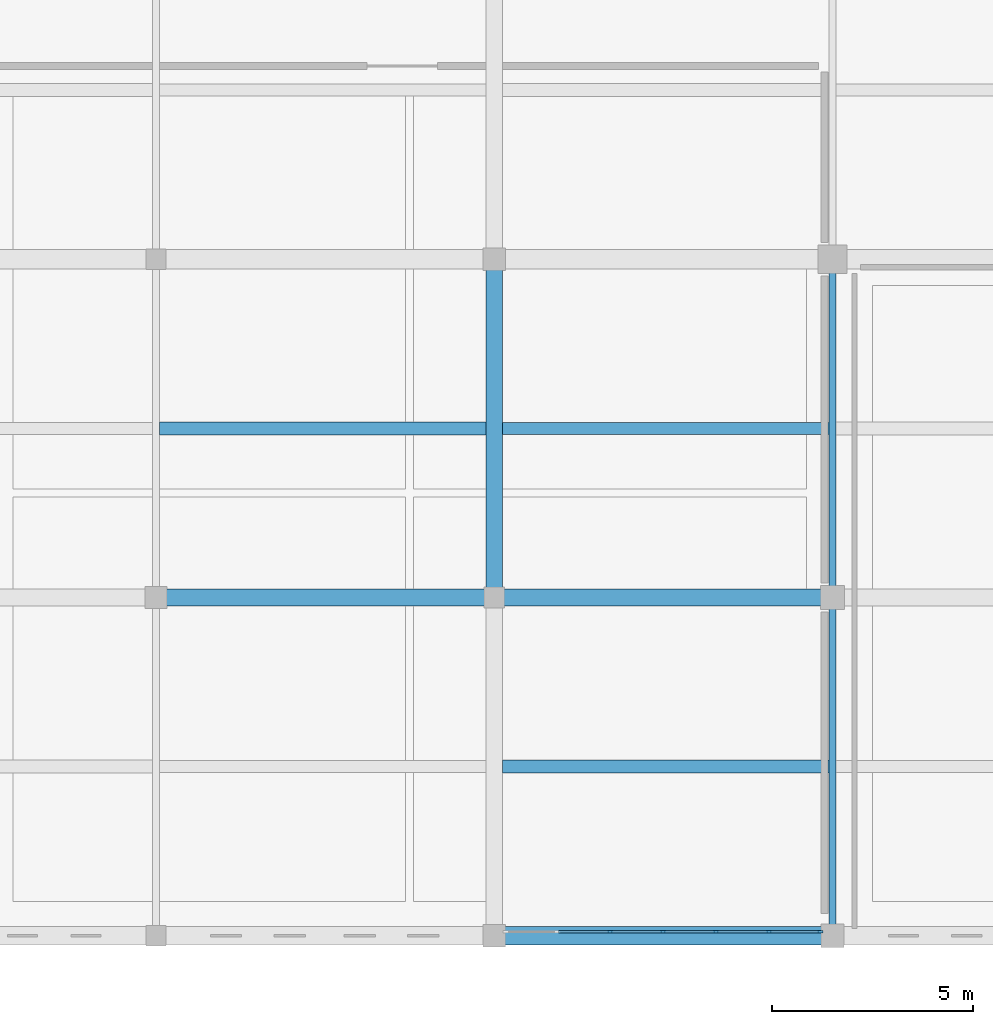
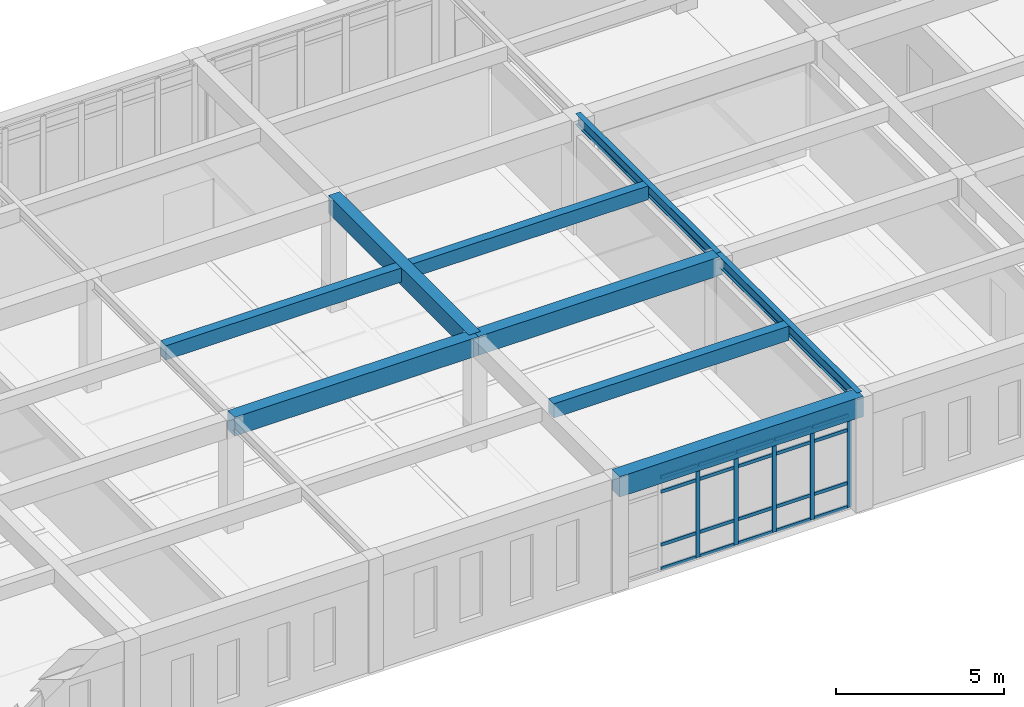
# One storey, part 61 of 192: 25 members, 9 beams, 1 element without a shape of its own.
"""IFC4 building model written with IfcOpenShell, lengths in metres."""

import ifcopenshell
import ifcopenshell.guid

model = None  # the IFC model being written
_history = None  # IfcOwnerHistory: only IFC2X3 demands one
_inside = {}  # id of a spatial element -> (the spatial element, [elements in it])
_under = {}  # id of a project, library or spatial element -> (it, [spatial elements below it])
_declared = {}  # id of a project -> (the project, [libraries it declares])
_typed = {}  # id of a type object -> (the type object, [elements of that type])
_made_of = {}  # id of a material, layer set ... -> (it, [elements and type objects made of it])


def new_model(schema):
    """Start an empty IFC model of exactly this schema.

    Asked for "IFC4X3", IfcOpenShell would pick the latest addendum, in which some entities
    have other attributes; the version numbers below select the first issue.
    IFC2X3 requires an IfcOwnerHistory on every rooted entity: one is made here for all.
    """
    global model, _history
    if schema == "IFC4X3":
        model = ifcopenshell.file(schema_version=(4, 3, 0, 0))
    else:
        model = ifcopenshell.file(schema=schema)
    _inside.clear()
    _under.clear()
    _declared.clear()
    _typed.clear()
    _made_of.clear()
    _history = None
    if model.schema == "IFC2X3":
        org = make("IfcOrganization", Name="unknown")
        user = make(
            "IfcPersonAndOrganization",
            ThePerson=make("IfcPerson", FamilyName="unknown"),
            TheOrganization=org,
        )
        app = make(
            "IfcApplication",
            ApplicationDeveloper=org,
            Version="unknown",
            ApplicationFullName="unknown",
            ApplicationIdentifier="unknown",
        )
        _history = make(
            "IfcOwnerHistory",
            OwningUser=user,
            OwningApplication=app,
            ChangeAction="ADDED",
            CreationDate=0,
        )
    return model


def make(cls, **values):
    """One entity of the class cls with the attributes given. An attribute that is None is left unset."""
    return model.create_entity(
        cls, **{name: value for name, value in values.items() if value is not None}
    )


def rooted(cls, **values):
    """An entity with a GlobalId (a new one), such as an element, a storey or a relation."""
    return make(cls, GlobalId=ifcopenshell.guid.new(), OwnerHistory=_history, **values)


def si_unit(unit_type, name, prefix=None):
    """IfcSIUnit, for example si_unit("LENGTHUNIT", "METRE", prefix="MILLI")."""
    return make("IfcSIUnit", UnitType=unit_type, Prefix=prefix, Name=name)


def assignment(units):
    """IfcUnitAssignment: the units of a project."""
    return None if units is None else make("IfcUnitAssignment", Units=units)


def point(xyz):
    """IfcCartesianPoint."""
    return None if xyz is None else make("IfcCartesianPoint", Coordinates=xyz)


def direction(xyz):
    """IfcDirection."""
    return None if xyz is None else make("IfcDirection", DirectionRatios=xyz)


def frame(location, z_axis=None, x_axis=None):
    """IfcAxis2Placement3D, a coordinate frame: its origin and axes. An axis left out is left unset."""
    return make(
        "IfcAxis2Placement3D",
        Location=point(location),
        Axis=direction(z_axis),
        RefDirection=direction(x_axis),
    )


def frame_2d(location, x_axis=None):
    """IfcAxis2Placement2D, a coordinate frame in the plane: its origin and x axis."""
    return make(
        "IfcAxis2Placement2D", Location=point(location), RefDirection=direction(x_axis)
    )


def origin():
    """The frame at (0, 0, 0) with its axes left unset."""
    return frame((0.0, 0.0, 0.0))


def origin_2d():
    """The frame at (0, 0) in the plane with its x axis left unset."""
    return frame_2d((0.0, 0.0))


def place(relative_to, where):
    """IfcLocalPlacement: puts the frame where relative to a parent placement (None: the world)."""
    return make(
        "IfcLocalPlacement", PlacementRelTo=relative_to, RelativePlacement=where
    )


def context(
    kind, dimensions, precision=None, world=None, true_north=None, identifier=None
):
    """IfcGeometricRepresentationContext, for example the 3D "Model" context."""
    return make(
        "IfcGeometricRepresentationContext",
        ContextIdentifier=identifier,
        ContextType=kind,
        CoordinateSpaceDimension=dimensions,
        Precision=precision,
        WorldCoordinateSystem=world,
        TrueNorth=true_north,
    )


def subcontext(parent, identifier, kind, view, scale=None):
    """IfcGeometricRepresentationSubContext, for example "Body" below "Model"."""
    return make(
        "IfcGeometricRepresentationSubContext",
        ContextIdentifier=identifier,
        ContextType=kind,
        ParentContext=parent,
        TargetScale=scale,
        TargetView=view,
    )


def project(units=None, contexts=None):
    """IfcProject with its units and contexts."""
    return rooted(
        "IfcProject",
        Name="project",
        RepresentationContexts=contexts,
        UnitsInContext=assignment(units),
    )


def spatial(cls, under=None, at=None, **own):
    """A site, building, storey or space (cls), placed at a placement, below another one or the project."""
    s = rooted(cls, ObjectPlacement=at, **own)
    if under is not None:
        _under.setdefault(under.id(), (under, []))[1].append(s)
    return s


def profile(cls, at=None, kind="AREA", **sizes):
    """A parametric profile (cls). Its sizes go by their IFC names, for example OverallWidth=200.0."""
    return make(cls, ProfileType=kind, Position=at, **sizes)


def rectangle(**sizes):
    """IfcRectangleProfileDef."""
    return profile("IfcRectangleProfileDef", **sizes)


def i_section(**sizes):
    """IfcIShapeProfileDef."""
    return profile("IfcIShapeProfileDef", **sizes)


def extrude(swept, where, along, depth):
    """IfcExtrudedAreaSolid: the profile swept, set in the frame where, extruded along a direction by depth."""
    return make(
        "IfcExtrudedAreaSolid",
        SweptArea=swept,
        Position=where,
        ExtrudedDirection=direction(along),
        Depth=depth,
    )


def shape(context_of_items, identifier, shape_type, items):
    """IfcShapeRepresentation: the items that make up one representation, for example the "Body"."""
    return make(
        "IfcShapeRepresentation",
        ContextOfItems=context_of_items,
        RepresentationIdentifier=identifier,
        RepresentationType=shape_type,
        Items=items,
    )


def material(Name=None, Category=None):
    """IfcMaterial."""
    return make("IfcMaterial", Name=Name, Category=Category)


def layer(
    of_material, thickness, ventilated=None, Name=None, Category=None, Priority=None
):
    """IfcMaterialLayer: one layer of a wall or slab, of a material (None: an air gap)."""
    return make(
        "IfcMaterialLayer",
        Material=of_material,
        LayerThickness=thickness,
        IsVentilated=ventilated,
        Name=Name,
        Category=Category,
        Priority=Priority,
    )


def layer_set(layers, Name=None):
    """IfcMaterialLayerSet."""
    return make("IfcMaterialLayerSet", MaterialLayers=layers, LayerSetName=Name)


def material_profile(
    of_material, cross_section, Name=None, Category=None, Priority=None
):
    """IfcMaterialProfile: a cross section and its material."""
    return make(
        "IfcMaterialProfile",
        Name=Name,
        Material=of_material,
        Profile=cross_section,
        Priority=Priority,
        Category=Category,
    )


def profile_set(profiles, Name=None, composite=None):
    """IfcMaterialProfileSet."""
    return make(
        "IfcMaterialProfileSet",
        Name=Name,
        MaterialProfiles=profiles,
        CompositeProfile=composite,
    )


def made_of(thing, what):
    """Note that an element or type object is made of a material, layer set ...; save() writes the relation."""
    if what is not None:
        _made_of.setdefault(what.id(), (what, []))[1].append(thing)
    return thing


def type_object(cls, material=None, **own):
    """A type object (cls), such as IfcWallType, which elements share."""
    return made_of(rooted(cls, **own), material)


def element(
    cls,
    number,
    at=None,
    inside=None,
    cuts=None,
    type_object=None,
    material=None,
    context=None,
    identifier="Body",
    shape_type=None,
    held_by="IfcProductDefinitionShape",
    body=None,
    shapes=None,
    **own,
):
    """One element of the class cls, such as IfcWall. Its Tag is "e" and its number.

    at: its placement. inside: the storey or other place that contains it. cuts: it is an
    opening in that element (IfcRelVoidsElement). A single representation is given by context,
    identifier, shape_type and body (its items); several are given by shapes. held_by: the class
    of the entity that holds the representations. save() writes the other relations.
    """
    e = rooted(cls, Tag="e%d" % number, ObjectPlacement=at, **own)
    if body is not None:
        shapes = [shape(context, identifier, shape_type, body)]
    if shapes is not None:
        e.Representation = make(held_by, Representations=shapes)
    if inside is not None:
        _inside.setdefault(inside.id(), (inside, []))[1].append(e)
    if cuts is not None:
        rooted(
            "IfcRelVoidsElement", RelatingBuildingElement=cuts, RelatedOpeningElement=e
        )
    if type_object is not None:
        _typed.setdefault(type_object.id(), (type_object, []))[1].append(e)
    return made_of(e, material)


def aggregate(whole, parts):
    """IfcRelAggregates: a whole, such as a stair, and the parts it consists of."""
    return rooted("IfcRelAggregates", RelatingObject=whole, RelatedObjects=parts)


def save(model, path):
    """Write the relations noted so far, then the file.

    IfcRelAggregates (storeys below a building ...), IfcRelContainedInSpatialStructure (elements
    in a storey), IfcRelDefinesByType, IfcRelAssociatesMaterial and IfcRelDeclares: one each for
    every whole, place, type object, material and project.
    """
    for whole, parts in _under.values():
        aggregate(whole, parts)
    for where, things in _inside.values():
        rooted(
            "IfcRelContainedInSpatialStructure",
            RelatedElements=things,
            RelatingStructure=where,
        )
    for kind, things in _typed.values():
        rooted("IfcRelDefinesByType", RelatedObjects=things, RelatingType=kind)
    for what, things in _made_of.values():
        rooted("IfcRelAssociatesMaterial", RelatedObjects=things, RelatingMaterial=what)
    for by, libraries in _declared.values():
        rooted("IfcRelDeclares", RelatingContext=by, RelatedDefinitions=libraries)
    model.write(path)


model = new_model("IFC4")

# Units and contexts
model_context = context("Model", 3, precision=1e-05, world=origin(), true_north=direction((0.0, 1.0)))
body_context = subcontext(model_context, "Body", "Model", "MODEL_VIEW")
ifc_project = project(units=[si_unit("LENGTHUNIT", "METRE"), si_unit("AREAUNIT", "SQUARE_METRE"), si_unit("VOLUMEUNIT", "CUBIC_METRE"), si_unit("PLANEANGLEUNIT", "RADIAN"), si_unit("MASSUNIT", "GRAM", prefix="KILO")], contexts=[model_context])

# Site, building, storey
site_placement = place(None, origin())
site = spatial("IfcSite", under=ifc_project, at=site_placement, CompositionType="ELEMENT")
building_placement = place(site_placement, origin())
building = spatial("IfcBuilding", under=site, at=building_placement, Name="Kveldsbrygga Polytechnic", CompositionType="ELEMENT")
storey_placement = place(building_placement, frame((0.0, 0.0, 5.43994140625)))
storey = spatial("IfcBuildingStorey", under=building, at=storey_placement, Name="L01", CompositionType="ELEMENT", Elevation=5.43994140625)

# Beams
ifc_material_1 = material(Name="Concrete C35/45", Category="concrete")
ifc_material_profile_1 = material_profile(ifc_material_1, rectangle(XDim=0.39990234375, YDim=0.64990234375, at=origin_2d()), Name="RC 400x650")
ifc_profile_set_1 = profile_set([ifc_material_profile_1], Name="Concrete C35/45")
beam_type_1 = type_object("IfcBeamType", Name="BM-RC-400x650", PredefinedType="BEAM", material=ifc_profile_set_1)
beam_1_placement = place(storey_placement, frame((117.60009765625, 8.39990234375, 3.795166015625), z_axis=(0.0, 1.0, 0.0), x_axis=(-1.0, 0.0, 0.0)))
element("IfcBeam", 1, at=beam_1_placement, inside=storey, type_object=beam_type_1, Name="Primary Beam BMY-L01-14-01to02", PredefinedType="BEAM", context=body_context, shape_type="SweptSolid", body=[
    extrude(rectangle(XDim=0.39990234375, YDim=0.64990234375, at=origin_2d()), origin(), (0.0, 0.0, 1.0), 8.400146484375),
])
ifc_material_profile_2 = material_profile(ifc_material_1, rectangle(XDim=0.419921875, YDim=0.679931640625, at=origin_2d()), Name="RC 420x680")
ifc_profile_set_2 = profile_set([ifc_material_profile_2], Name="Concrete C35/45")
beam_type_2 = type_object("IfcBeamType", Name="BM-RC-420x680", PredefinedType="BEAM", material=ifc_profile_set_2)
beam_2_placement = place(storey_placement, frame((109.199951171875, 8.39990234375, 3.780029296875), z_axis=(1.0, 0.0, 0.0), x_axis=(0.0, 1.0, 0.0)))
element("IfcBeam", 2, at=beam_2_placement, inside=storey, type_object=beam_type_2, Name="Primary Beam BMX-L01-13to14-01", PredefinedType="BEAM", context=body_context, shape_type="SweptSolid", body=[
    extrude(rectangle(XDim=0.419921875, YDim=0.679931640625, at=origin_2d()), origin(), (0.0, 0.0, 1.0), 8.400146484375),
])
beam_3_placement = place(storey_placement, frame((117.60009765625, 8.39990234375, 3.780029296875), z_axis=(1.0, 0.0, 0.0), x_axis=(0.0, 1.0, 0.0)))
element("IfcBeam", 3, at=beam_3_placement, inside=storey, type_object=beam_type_2, Name="Primary Beam BMX-L01-14to15-01", PredefinedType="BEAM", context=body_context, shape_type="SweptSolid", body=[
    extrude(rectangle(XDim=0.419921875, YDim=0.679931640625, at=origin_2d()), origin(), (0.0, 0.0, 1.0), 8.39990234375),
])
ifc_material_profile_3 = material_profile(ifc_material_1, rectangle(XDim=0.4599609375, YDim=0.739990234375, at=origin_2d()), Name="RC 460x740")
ifc_profile_set_3 = profile_set([ifc_material_profile_3], Name="Concrete C35/45")
beam_type_3 = type_object("IfcBeamType", Name="BM-RC-460x740", PredefinedType="BEAM", material=ifc_profile_set_3)
beam_4_placement = place(storey_placement, frame((117.60009765625, 0.0, 3.75), z_axis=(1.0, 0.0, 0.0), x_axis=(0.0, 1.0, 0.0)))
element("IfcBeam", 4, at=beam_4_placement, inside=storey, type_object=beam_type_3, Name="Primary Beam BMX-L01-14to15-00", PredefinedType="BEAM", context=body_context, shape_type="SweptSolid", body=[
    extrude(rectangle(XDim=0.4599609375, YDim=0.739990234375, at=origin_2d()), origin(), (0.0, 0.0, 1.0), 8.39990234375),
])
ifc_material_2 = material(Name="Steel S355", Category="steel")
ifc_material_profile_4 = material_profile(ifc_material_2, i_section(OverallWidth=0.179931640625, OverallDepth=0.39990234375, WebThickness=0.008544921875, FlangeThickness=0.013427734375, FilletRadius=0.02099609375, at=origin_2d()), Name="IPE 400")
ifc_profile_set_4 = profile_set([ifc_material_profile_4], Name="Steel S355")
beam_type_4 = type_object("IfcBeamType", Name="BM-STL-IPE400", PredefinedType="BEAM", material=ifc_profile_set_4)
beam_5_placement = place(storey_placement, frame((126.0, 0.0, 3.920166015625), z_axis=(0.0, 1.0, 0.0), x_axis=(-1.0, 0.0, 0.0)))
element("IfcBeam", 5, at=beam_5_placement, inside=storey, type_object=beam_type_4, Name="Primary Beam BMY-L01-15-00to01", PredefinedType="BEAM", context=body_context, shape_type="SweptSolid", body=[
    extrude(i_section(OverallWidth=0.179931640625, OverallDepth=0.39990234375, WebThickness=0.008544921875, FlangeThickness=0.013427734375, FilletRadius=0.02099609375, at=origin_2d()), origin(), (0.0, 0.0, 1.0), 8.39990234375),
])
beam_6_placement = place(storey_placement, frame((126.0, 8.39990234375, 3.920166015625), z_axis=(0.0, 1.0, 0.0), x_axis=(-1.0, 0.0, 0.0)))
element("IfcBeam", 6, at=beam_6_placement, inside=storey, type_object=beam_type_4, Name="Primary Beam BMY-L01-15-01to02", PredefinedType="BEAM", context=body_context, shape_type="SweptSolid", body=[
    extrude(i_section(OverallWidth=0.179931640625, OverallDepth=0.39990234375, WebThickness=0.008544921875, FlangeThickness=0.013427734375, FilletRadius=0.02099609375, at=origin_2d()), origin(), (0.0, 0.0, 1.0), 8.400146484375),
])

# Curtain wall, members
ifc_material_3 = material(Name="Anodised aluminium AW-6060", Category="aluminium")
ifc_layer = layer(ifc_material_3, 0.179931640625)
ifc_layer_set = layer_set([ifc_layer], Name="Anodised aluminium AW-6060")
curtain_wall_type = type_object("IfcCurtainWallType", Name="CW-CONC-A", PredefinedType="USERDEFINED", material=ifc_layer_set)
curtain_wall_placement = place(storey_placement, origin())
curtain_wall = element("IfcCurtainWall", 7, at=curtain_wall_placement, inside=storey, type_object=curtain_wall_type, Name="Curtain Wall CW-L01-X-14-00", ObjectType="UNITISED CURTAIN WALL", PredefinedType="USERDEFINED")
ifc_material_profile_5 = material_profile(ifc_material_3, rectangle(XDim=0.06005859375, YDim=0.139892578125, at=origin_2d()), Name="ALU 60x140")
ifc_profile_set_5 = profile_set([ifc_material_profile_5], Name="Anodised aluminium AW-6060")
member_type_1 = type_object("IfcMemberType", Name="CW-MUL-140", PredefinedType="MULLION", material=ifc_profile_set_5)
member_1_placement = place(storey_placement, frame((120.481689453125, 0.10009765625, 0.0), z_axis=(0.0, 0.0, 1.0), x_axis=(0.0, 1.0, 0.0)))
member_1 = element("IfcMember", 8, at=member_1_placement, type_object=member_type_1, Name="CW-01 mullion 3", PredefinedType="MULLION", context=body_context, shape_type="SweptSolid", body=[
    extrude(rectangle(XDim=0.06005859375, YDim=0.139892578125, at=origin_2d()), origin(), (0.0, 0.0, 1.0), 3.380126953125),
])
member_2_placement = place(storey_placement, frame((121.79248046875, 0.10009765625, 0.0), z_axis=(0.0, 0.0, 1.0), x_axis=(0.0, 1.0, 0.0)))
member_2 = element("IfcMember", 9, at=member_2_placement, type_object=member_type_1, Name="CW-01 mullion 4", PredefinedType="MULLION", context=body_context, shape_type="SweptSolid", body=[
    extrude(rectangle(XDim=0.06005859375, YDim=0.139892578125, at=origin_2d()), origin(), (0.0, 0.0, 1.0), 3.380126953125),
])
member_3_placement = place(storey_placement, frame((123.103271484375, 0.10009765625, 0.0), z_axis=(0.0, 0.0, 1.0), x_axis=(0.0, 1.0, 0.0)))
member_3 = element("IfcMember", 10, at=member_3_placement, type_object=member_type_1, Name="CW-01 mullion 5", PredefinedType="MULLION", context=body_context, shape_type="SweptSolid", body=[
    extrude(rectangle(XDim=0.06005859375, YDim=0.139892578125, at=origin_2d()), origin(), (0.0, 0.0, 1.0), 3.380126953125),
])
member_4_placement = place(storey_placement, frame((124.4140625, 0.10009765625, 0.0), z_axis=(0.0, 0.0, 1.0), x_axis=(0.0, 1.0, 0.0)))
member_4 = element("IfcMember", 11, at=member_4_placement, type_object=member_type_1, Name="CW-01 mullion 6", PredefinedType="MULLION", context=body_context, shape_type="SweptSolid", body=[
    extrude(rectangle(XDim=0.06005859375, YDim=0.139892578125, at=origin_2d()), origin(), (0.0, 0.0, 1.0), 3.380126953125),
])
member_5_placement = place(storey_placement, frame((125.695068359375, 0.10009765625, 0.0), z_axis=(0.0, 0.0, 1.0), x_axis=(0.0, 1.0, 0.0)))
member_5 = element("IfcMember", 12, at=member_5_placement, type_object=member_type_1, Name="CW-01 mullion 7", PredefinedType="MULLION", context=body_context, shape_type="SweptSolid", body=[
    extrude(rectangle(XDim=0.06005859375, YDim=0.139892578125, at=origin_2d()), origin(), (0.0, 0.0, 1.0), 3.380126953125),
])
ifc_material_profile_6 = material_profile(ifc_material_3, rectangle(XDim=0.06005859375, YDim=0.1201171875, at=origin_2d()), Name="ALU 60x120")
ifc_profile_set_6 = profile_set([ifc_material_profile_6], Name="Anodised aluminium AW-6060")
member_type_2 = type_object("IfcMemberType", Name="CW-TRN-120", PredefinedType="USERDEFINED", material=ifc_profile_set_6)
member_6_placement = place(storey_placement, frame((119.200927734375, 0.10009765625, 0.030029296875), z_axis=(1.0, 0.0, 0.0), x_axis=(0.0, 1.0, 0.0)))
member_6 = element("IfcMember", 13, at=member_6_placement, type_object=member_type_2, Name="CW-01 transom 2.1", ObjectType="TRANSOM", PredefinedType="USERDEFINED", context=body_context, shape_type="SweptSolid", body=[
    extrude(rectangle(XDim=0.06005859375, YDim=0.1201171875, at=origin_2d()), origin(), (0.0, 0.0, 1.0), 1.250732421875),
])
member_7_placement = place(storey_placement, frame((119.200927734375, 0.10009765625, 0.900146484375), z_axis=(1.0, 0.0, 0.0), x_axis=(0.0, 1.0, 0.0)))
member_7 = element("IfcMember", 14, at=member_7_placement, type_object=member_type_2, Name="CW-01 transom 2.2", ObjectType="TRANSOM", PredefinedType="USERDEFINED", context=body_context, shape_type="SweptSolid", body=[
    extrude(rectangle(XDim=0.06005859375, YDim=0.1201171875, at=origin_2d()), origin(), (0.0, 0.0, 1.0), 1.250732421875),
])
member_8_placement = place(storey_placement, frame((119.200927734375, 0.10009765625, 2.830078125), z_axis=(1.0, 0.0, 0.0), x_axis=(0.0, 1.0, 0.0)))
member_8 = element("IfcMember", 15, at=member_8_placement, type_object=member_type_2, Name="CW-01 transom 2.3", ObjectType="TRANSOM", PredefinedType="USERDEFINED", context=body_context, shape_type="SweptSolid", body=[
    extrude(rectangle(XDim=0.06005859375, YDim=0.1201171875, at=origin_2d()), origin(), (0.0, 0.0, 1.0), 1.250732421875),
])
member_9_placement = place(storey_placement, frame((119.200927734375, 0.10009765625, 3.35009765625), z_axis=(1.0, 0.0, 0.0), x_axis=(0.0, 1.0, 0.0)))
member_9 = element("IfcMember", 16, at=member_9_placement, type_object=member_type_2, Name="CW-01 transom 2.4", ObjectType="TRANSOM", PredefinedType="USERDEFINED", context=body_context, shape_type="SweptSolid", body=[
    extrude(rectangle(XDim=0.06005859375, YDim=0.1201171875, at=origin_2d()), origin(), (0.0, 0.0, 1.0), 1.250732421875),
])
member_10_placement = place(storey_placement, frame((120.51171875, 0.10009765625, 0.030029296875), z_axis=(1.0, 0.0, 0.0), x_axis=(0.0, 1.0, 0.0)))
member_10 = element("IfcMember", 17, at=member_10_placement, type_object=member_type_2, Name="CW-01 transom 3.1", ObjectType="TRANSOM", PredefinedType="USERDEFINED", context=body_context, shape_type="SweptSolid", body=[
    extrude(rectangle(XDim=0.06005859375, YDim=0.1201171875, at=origin_2d()), origin(), (0.0, 0.0, 1.0), 1.250732421875),
])
member_11_placement = place(storey_placement, frame((120.51171875, 0.10009765625, 0.900146484375), z_axis=(1.0, 0.0, 0.0), x_axis=(0.0, 1.0, 0.0)))
member_11 = element("IfcMember", 18, at=member_11_placement, type_object=member_type_2, Name="CW-01 transom 3.2", ObjectType="TRANSOM", PredefinedType="USERDEFINED", context=body_context, shape_type="SweptSolid", body=[
    extrude(rectangle(XDim=0.06005859375, YDim=0.1201171875, at=origin_2d()), origin(), (0.0, 0.0, 1.0), 1.250732421875),
])
member_12_placement = place(storey_placement, frame((120.51171875, 0.10009765625, 2.830078125), z_axis=(1.0, 0.0, 0.0), x_axis=(0.0, 1.0, 0.0)))
member_12 = element("IfcMember", 19, at=member_12_placement, type_object=member_type_2, Name="CW-01 transom 3.3", ObjectType="TRANSOM", PredefinedType="USERDEFINED", context=body_context, shape_type="SweptSolid", body=[
    extrude(rectangle(XDim=0.06005859375, YDim=0.1201171875, at=origin_2d()), origin(), (0.0, 0.0, 1.0), 1.250732421875),
])
member_13_placement = place(storey_placement, frame((120.51171875, 0.10009765625, 3.35009765625), z_axis=(1.0, 0.0, 0.0), x_axis=(0.0, 1.0, 0.0)))
member_13 = element("IfcMember", 20, at=member_13_placement, type_object=member_type_2, Name="CW-01 transom 3.4", ObjectType="TRANSOM", PredefinedType="USERDEFINED", context=body_context, shape_type="SweptSolid", body=[
    extrude(rectangle(XDim=0.06005859375, YDim=0.1201171875, at=origin_2d()), origin(), (0.0, 0.0, 1.0), 1.250732421875),
])
member_14_placement = place(storey_placement, frame((121.822509765625, 0.10009765625, 0.030029296875), z_axis=(1.0, 0.0, 0.0), x_axis=(0.0, 1.0, 0.0)))
member_14 = element("IfcMember", 21, at=member_14_placement, type_object=member_type_2, Name="CW-01 transom 4.1", ObjectType="TRANSOM", PredefinedType="USERDEFINED", context=body_context, shape_type="SweptSolid", body=[
    extrude(rectangle(XDim=0.06005859375, YDim=0.1201171875, at=origin_2d()), origin(), (0.0, 0.0, 1.0), 1.250732421875),
])
member_15_placement = place(storey_placement, frame((121.822509765625, 0.10009765625, 0.900146484375), z_axis=(1.0, 0.0, 0.0), x_axis=(0.0, 1.0, 0.0)))
member_15 = element("IfcMember", 22, at=member_15_placement, type_object=member_type_2, Name="CW-01 transom 4.2", ObjectType="TRANSOM", PredefinedType="USERDEFINED", context=body_context, shape_type="SweptSolid", body=[
    extrude(rectangle(XDim=0.06005859375, YDim=0.1201171875, at=origin_2d()), origin(), (0.0, 0.0, 1.0), 1.250732421875),
])
member_16_placement = place(storey_placement, frame((121.822509765625, 0.10009765625, 2.830078125), z_axis=(1.0, 0.0, 0.0), x_axis=(0.0, 1.0, 0.0)))
member_16 = element("IfcMember", 23, at=member_16_placement, type_object=member_type_2, Name="CW-01 transom 4.3", ObjectType="TRANSOM", PredefinedType="USERDEFINED", context=body_context, shape_type="SweptSolid", body=[
    extrude(rectangle(XDim=0.06005859375, YDim=0.1201171875, at=origin_2d()), origin(), (0.0, 0.0, 1.0), 1.250732421875),
])
member_17_placement = place(storey_placement, frame((121.822509765625, 0.10009765625, 3.35009765625), z_axis=(1.0, 0.0, 0.0), x_axis=(0.0, 1.0, 0.0)))
member_17 = element("IfcMember", 24, at=member_17_placement, type_object=member_type_2, Name="CW-01 transom 4.4", ObjectType="TRANSOM", PredefinedType="USERDEFINED", context=body_context, shape_type="SweptSolid", body=[
    extrude(rectangle(XDim=0.06005859375, YDim=0.1201171875, at=origin_2d()), origin(), (0.0, 0.0, 1.0), 1.250732421875),
])
member_18_placement = place(storey_placement, frame((123.13330078125, 0.10009765625, 0.030029296875), z_axis=(1.0, 0.0, 0.0), x_axis=(0.0, 1.0, 0.0)))
member_18 = element("IfcMember", 25, at=member_18_placement, type_object=member_type_2, Name="CW-01 transom 5.1", ObjectType="TRANSOM", PredefinedType="USERDEFINED", context=body_context, shape_type="SweptSolid", body=[
    extrude(rectangle(XDim=0.06005859375, YDim=0.1201171875, at=origin_2d()), origin(), (0.0, 0.0, 1.0), 1.2509765625),
])
member_19_placement = place(storey_placement, frame((123.13330078125, 0.10009765625, 0.900146484375), z_axis=(1.0, 0.0, 0.0), x_axis=(0.0, 1.0, 0.0)))
member_19 = element("IfcMember", 26, at=member_19_placement, type_object=member_type_2, Name="CW-01 transom 5.2", ObjectType="TRANSOM", PredefinedType="USERDEFINED", context=body_context, shape_type="SweptSolid", body=[
    extrude(rectangle(XDim=0.06005859375, YDim=0.1201171875, at=origin_2d()), origin(), (0.0, 0.0, 1.0), 1.2509765625),
])
member_20_placement = place(storey_placement, frame((123.13330078125, 0.10009765625, 2.830078125), z_axis=(1.0, 0.0, 0.0), x_axis=(0.0, 1.0, 0.0)))
member_20 = element("IfcMember", 27, at=member_20_placement, type_object=member_type_2, Name="CW-01 transom 5.3", ObjectType="TRANSOM", PredefinedType="USERDEFINED", context=body_context, shape_type="SweptSolid", body=[
    extrude(rectangle(XDim=0.06005859375, YDim=0.1201171875, at=origin_2d()), origin(), (0.0, 0.0, 1.0), 1.2509765625),
])
member_21_placement = place(storey_placement, frame((123.13330078125, 0.10009765625, 3.35009765625), z_axis=(1.0, 0.0, 0.0), x_axis=(0.0, 1.0, 0.0)))
member_21 = element("IfcMember", 28, at=member_21_placement, type_object=member_type_2, Name="CW-01 transom 5.4", ObjectType="TRANSOM", PredefinedType="USERDEFINED", context=body_context, shape_type="SweptSolid", body=[
    extrude(rectangle(XDim=0.06005859375, YDim=0.1201171875, at=origin_2d()), origin(), (0.0, 0.0, 1.0), 1.2509765625),
])
member_22_placement = place(storey_placement, frame((124.444091796875, 0.10009765625, 0.030029296875), z_axis=(1.0, 0.0, 0.0), x_axis=(0.0, 1.0, 0.0)))
member_22 = element("IfcMember", 29, at=member_22_placement, type_object=member_type_2, Name="CW-01 transom 6.1", ObjectType="TRANSOM", PredefinedType="USERDEFINED", context=body_context, shape_type="SweptSolid", body=[
    extrude(rectangle(XDim=0.06005859375, YDim=0.1201171875, at=origin_2d()), origin(), (0.0, 0.0, 1.0), 1.220947265625),
])
member_23_placement = place(storey_placement, frame((124.444091796875, 0.10009765625, 0.900146484375), z_axis=(1.0, 0.0, 0.0), x_axis=(0.0, 1.0, 0.0)))
member_23 = element("IfcMember", 30, at=member_23_placement, type_object=member_type_2, Name="CW-01 transom 6.2", ObjectType="TRANSOM", PredefinedType="USERDEFINED", context=body_context, shape_type="SweptSolid", body=[
    extrude(rectangle(XDim=0.06005859375, YDim=0.1201171875, at=origin_2d()), origin(), (0.0, 0.0, 1.0), 1.220947265625),
])
member_24_placement = place(storey_placement, frame((124.444091796875, 0.10009765625, 2.830078125), z_axis=(1.0, 0.0, 0.0), x_axis=(0.0, 1.0, 0.0)))
member_24 = element("IfcMember", 31, at=member_24_placement, type_object=member_type_2, Name="CW-01 transom 6.3", ObjectType="TRANSOM", PredefinedType="USERDEFINED", context=body_context, shape_type="SweptSolid", body=[
    extrude(rectangle(XDim=0.06005859375, YDim=0.1201171875, at=origin_2d()), origin(), (0.0, 0.0, 1.0), 1.220947265625),
])
member_25_placement = place(storey_placement, frame((124.444091796875, 0.10009765625, 3.35009765625), z_axis=(1.0, 0.0, 0.0), x_axis=(0.0, 1.0, 0.0)))
member_25 = element("IfcMember", 32, at=member_25_placement, type_object=member_type_2, Name="CW-01 transom 6.4", ObjectType="TRANSOM", PredefinedType="USERDEFINED", context=body_context, shape_type="SweptSolid", body=[
    extrude(rectangle(XDim=0.06005859375, YDim=0.1201171875, at=origin_2d()), origin(), (0.0, 0.0, 1.0), 1.220947265625),
])
aggregate(curtain_wall, [member_1, member_2, member_3, member_4, member_5, member_6, member_7, member_8, member_9, member_10, member_11, member_12, member_13, member_14, member_15, member_16, member_17, member_18, member_19, member_20, member_21, member_22, member_23, member_24, member_25])

# Beams
ifc_material_profile_7 = material_profile(ifc_material_1, rectangle(XDim=0.300048828125, YDim=0.5, at=origin_2d()), Name="RC 300x500")
ifc_profile_set_7 = profile_set([ifc_material_profile_7], Name="Concrete C35/45")
beam_type_5 = type_object("IfcBeamType", Name="JST-RC-300x500", PredefinedType="JOIST", material=ifc_profile_set_7)
beam_7_placement = place(storey_placement, frame((117.800048828125, 12.60009765625, 3.8701171875), z_axis=(1.0, 0.0, 0.0), x_axis=(0.0, 1.0, 0.0)))
element("IfcBeam", 33, at=beam_7_placement, inside=storey, type_object=beam_type_5, Name="Secondary Joist JST-L01-14-01", PredefinedType="JOIST", context=body_context, shape_type="SweptSolid", body=[
    extrude(rectangle(XDim=0.300048828125, YDim=0.5, at=origin_2d()), origin(), (0.0, 0.0, 1.0), 8.10986328125),
])
ifc_material_profile_8 = material_profile(ifc_material_1, rectangle(XDim=0.320068359375, YDim=0.52001953125, at=origin_2d()), Name="RC 320x520")
ifc_profile_set_8 = profile_set([ifc_material_profile_8], Name="Concrete C35/45")
beam_type_6 = type_object("IfcBeamType", Name="JST-RC-320x520", PredefinedType="JOIST", material=ifc_profile_set_8)
for number, where, z_axis, x_axis, name in (
    (34, (109.2900390625, 12.60009765625, 3.860107421875), (1.0, 0.0, 0.0), (0.0, 1.0, 0.0), "Secondary Joist JST-L01-13-01"),
    (35, (117.800048828125, 4.199951171875, 3.860107421875), (1.0, 0.0, 0.0), (0.0, 1.0, 0.0), "Secondary Joist JST-L01-14-00"),
):
    element("IfcBeam", number, at=place(storey_placement, frame(where, z_axis=z_axis, x_axis=x_axis)), inside=storey, type_object=beam_type_6, Name=name, PredefinedType="JOIST", context=body_context, shape_type="SweptSolid", body=[
        extrude(rectangle(XDim=0.320068359375, YDim=0.52001953125, at=origin_2d()), origin(), (0.0, 0.0, 1.0), 8.10986328125),
    ])

save(model, "model.ifc")
